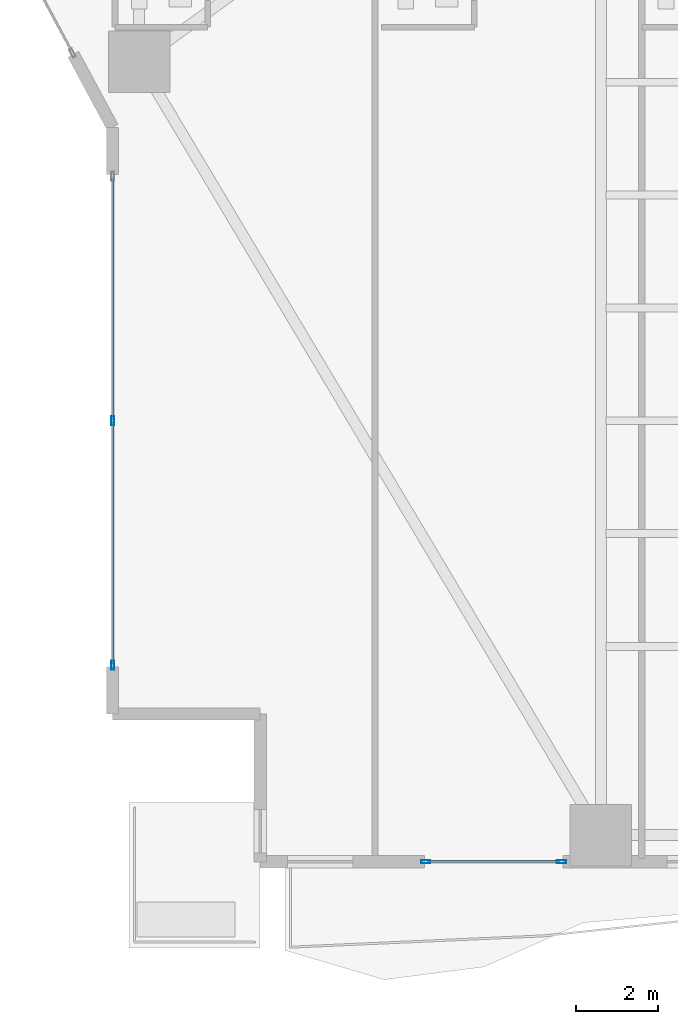
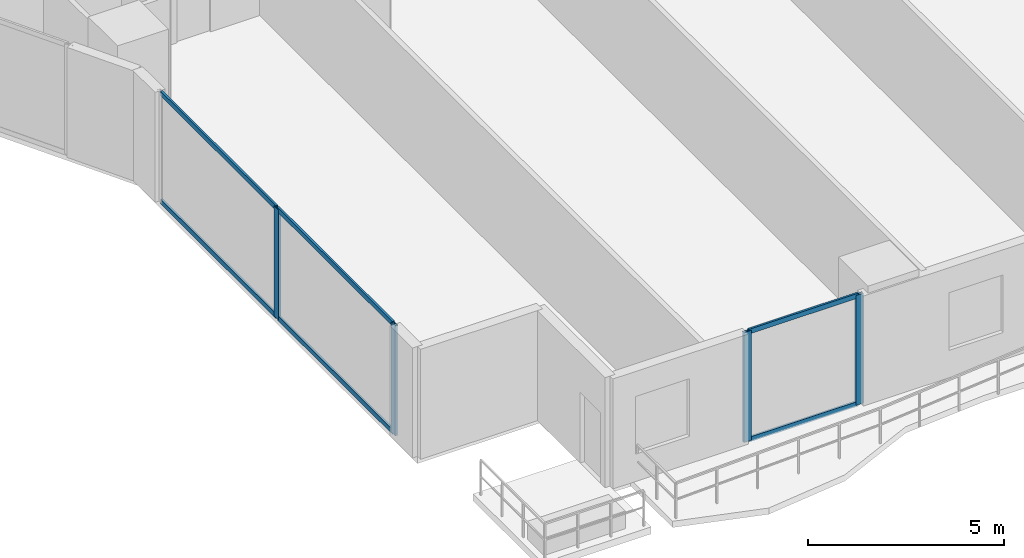
# One storey, part 2 of 28: 10 members, 2 elements without a shape of their own.
"""IFC4 building model written with IfcOpenShell, lengths in metres."""

from ifc_helpers import new_model, si_unit, direction, frame, origin, origin_2d, place, context, subcontext, project, spatial, hollow_rectangle, extrude, material, layer, layer_set, material_profile, profile_set, type_object, element, aggregate, save


model = new_model("IFC4")

# Units and contexts
model_context = context("Model", 3, precision=1e-05, world=origin(), true_north=direction((0.0, 1.0)))
body_context = subcontext(model_context, "Body", "Model", "MODEL_VIEW")
ifc_project = project(units=[si_unit("LENGTHUNIT", "METRE"), si_unit("AREAUNIT", "SQUARE_METRE"), si_unit("VOLUMEUNIT", "CUBIC_METRE"), si_unit("PLANEANGLEUNIT", "RADIAN"), si_unit("MASSUNIT", "GRAM", prefix="KILO")], contexts=[model_context])

# Site, building, storey
site_placement = place(None, origin())
site = spatial("IfcSite", under=ifc_project, at=site_placement, CompositionType="ELEMENT")
building_placement = place(site_placement, origin())
building = spatial("IfcBuilding", under=site, at=building_placement, Name="Zuhayl Quay Hotel", CompositionType="ELEMENT")
storey_placement = place(building_placement, frame((0.0, 0.0, 34.89990234375)))
storey = spatial("IfcBuildingStorey", under=building, at=storey_placement, Name="L07", CompositionType="ELEMENT", Elevation=34.89990234375)

# Curtain wall, members
ifc_material_1 = material(Name="Anodised Aluminium 6063-T6", Category="aluminium")
ifc_layer = layer(ifc_material_1, 0.18994140625, Name="Anodised Aluminium 6063-T6", Category="aluminium")
ifc_layer_set = layer_set([ifc_layer], Name="Anodised Aluminium 6063-T6")
curtain_wall_type = type_object("IfcCurtainWallType", Name="CW_SYS_Z1", PredefinedType="USERDEFINED", material=ifc_layer_set)
curtain_wall_1_placement = place(storey_placement, origin())
curtain_wall_1 = element("IfcCurtainWall", 1, at=curtain_wall_1_placement, inside=storey, type_object=curtain_wall_type, Name="L07 Curtain Wall ENV_L07_E02_CW1", ObjectType="UNITISED CURTAIN WALL", PredefinedType="USERDEFINED")
ifc_material_2 = material(Name="Black-anodised aluminium 6063-T6", Category="aluminium")
ifc_material_profile_1 = material_profile(ifc_material_2, hollow_rectangle(XDim=0.074951171875, YDim=0.219970703125, WallThickness=0.00390625, at=origin_2d()), Name="ALU220X75")
ifc_profile_set_1 = profile_set([ifc_material_profile_1], Name="Black-anodised aluminium 6063-T6")
member_type_1 = type_object("IfcMemberType", Name="MB_CW_MUL_220", PredefinedType="MULLION", material=ifc_profile_set_1)
member_1_placement = place(storey_placement, frame((-25.699951171875, -18.3125, 0.0), z_axis=(0.0, 0.0, 1.0), x_axis=(-1.0, 0.0, 0.0)))
member_1 = element("IfcMember", 2, at=member_1_placement, type_object=member_type_1, Name="CW-Z1 mullion 1", PredefinedType="MULLION", context=body_context, shape_type="SweptSolid", body=[
    extrude(hollow_rectangle(XDim=0.074951171875, YDim=0.219970703125, WallThickness=0.00390625, at=origin_2d()), origin(), (0.0, 0.0, 1.0), 3.43017578125),
])
member_2_placement = place(storey_placement, frame((-25.699951171875, -12.35009765625, 0.0), z_axis=(0.0, 0.0, 1.0), x_axis=(-1.0, 0.0, 0.0)))
member_2 = element("IfcMember", 3, at=member_2_placement, type_object=member_type_1, Name="CW-Z1 mullion 2", PredefinedType="MULLION", context=body_context, shape_type="SweptSolid", body=[
    extrude(hollow_rectangle(XDim=0.074951171875, YDim=0.219970703125, WallThickness=0.00390625, at=origin_2d()), origin(), (0.0, 0.0, 1.0), 3.43017578125),
])

curtain_wall_2_placement = place(storey_placement, origin())
curtain_wall_2 = element("IfcCurtainWall", 4, at=curtain_wall_2_placement, inside=storey, type_object=curtain_wall_type, Name="L07 Curtain Wall ENV_L07_S_CW5", ObjectType="UNITISED CURTAIN WALL", PredefinedType="USERDEFINED")
member_3_placement = place(storey_placement, frame((-14.757568359375, -23.10009765625, 0.0), z_axis=(0.0, 0.0, 1.0), x_axis=(0.0, -1.0, 0.0)))
member_3 = element("IfcMember", 5, at=member_3_placement, type_object=member_type_1, Name="CW-Z1 mullion 1", PredefinedType="MULLION", context=body_context, shape_type="SweptSolid", body=[
    extrude(hollow_rectangle(XDim=0.074951171875, YDim=0.219970703125, WallThickness=0.00390625, at=origin_2d()), origin(), (0.0, 0.0, 1.0), 3.43017578125),
])
member_4_placement = place(storey_placement, frame((-18.0625, -23.10009765625, 0.0), z_axis=(0.0, 0.0, 1.0), x_axis=(0.0, -1.0, 0.0)))
member_4 = element("IfcMember", 6, at=member_4_placement, type_object=member_type_1, Name="CW-Z1 mullion 2", PredefinedType="MULLION", context=body_context, shape_type="SweptSolid", body=[
    extrude(hollow_rectangle(XDim=0.074951171875, YDim=0.219970703125, WallThickness=0.00390625, at=origin_2d()), origin(), (0.0, 0.0, 1.0), 3.43017578125),
])

# Member
ifc_material_profile_2 = material_profile(ifc_material_2, hollow_rectangle(XDim=0.06005859375, YDim=0.14990234375, WallThickness=0.00341796875, at=origin_2d()), Name="ALU150X60")
ifc_profile_set_2 = profile_set([ifc_material_profile_2], Name="Black-anodised aluminium 6063-T6")
member_type_2 = type_object("IfcMemberType", Name="MB_CW_TRN_150", PredefinedType="USERDEFINED", material=ifc_profile_set_2)
member_5_placement = place(storey_placement, frame((-25.699951171875, -18.27490234375, 0.030029296875), z_axis=(0.0, 1.0, 0.0), x_axis=(-1.0, 0.0, 0.0)))
member_5 = element("IfcMember", 7, at=member_5_placement, type_object=member_type_2, Name="CW-Z1 transom 1.1", ObjectType="TRANSOM", PredefinedType="USERDEFINED", context=body_context, shape_type="SweptSolid", body=[
    extrude(hollow_rectangle(XDim=0.06005859375, YDim=0.14990234375, WallThickness=0.00341796875, at=origin_2d()), origin(), (0.0, 0.0, 1.0), 5.887451171875),
])

member_6_placement = place(storey_placement, frame((-25.699951171875, -18.27490234375, 3.400146484375), z_axis=(0.0, 1.0, 0.0), x_axis=(-1.0, 0.0, 0.0)))
member_6 = element("IfcMember", 8, at=member_6_placement, type_object=member_type_2, Name="CW-Z1 transom 1.2", ObjectType="TRANSOM", PredefinedType="USERDEFINED", context=body_context, shape_type="SweptSolid", body=[
    extrude(hollow_rectangle(XDim=0.06005859375, YDim=0.14990234375, WallThickness=0.00341796875, at=origin_2d()), origin(), (0.0, 0.0, 1.0), 5.887451171875),
])

member_7_placement = place(storey_placement, frame((-25.699951171875, -12.3125, 0.030029296875), z_axis=(0.0, 1.0, 0.0), x_axis=(-1.0, 0.0, 0.0)))
member_7 = element("IfcMember", 9, at=member_7_placement, type_object=member_type_2, Name="CW-Z1 transom 2.1", ObjectType="TRANSOM", PredefinedType="USERDEFINED", context=body_context, shape_type="SweptSolid", body=[
    extrude(hollow_rectangle(XDim=0.06005859375, YDim=0.14990234375, WallThickness=0.00341796875, at=origin_2d()), origin(), (0.0, 0.0, 1.0), 5.887451171875),
])

member_8_placement = place(storey_placement, frame((-25.699951171875, -12.3125, 3.400146484375), z_axis=(0.0, 1.0, 0.0), x_axis=(-1.0, 0.0, 0.0)))
member_8 = element("IfcMember", 10, at=member_8_placement, type_object=member_type_2, Name="CW-Z1 transom 2.2", ObjectType="TRANSOM", PredefinedType="USERDEFINED", context=body_context, shape_type="SweptSolid", body=[
    extrude(hollow_rectangle(XDim=0.06005859375, YDim=0.14990234375, WallThickness=0.00341796875, at=origin_2d()), origin(), (0.0, 0.0, 1.0), 5.887451171875),
])

aggregate(curtain_wall_1, [member_1, member_2, member_5, member_6, member_7, member_8])

member_9_placement = place(storey_placement, frame((-14.794921875, -23.10009765625, 0.030029296875), z_axis=(-1.0, 0.0, 0.0), x_axis=(0.0, -1.0, 0.0)))
member_9 = element("IfcMember", 11, at=member_9_placement, type_object=member_type_2, Name="CW-Z1 transom 1.1", ObjectType="TRANSOM", PredefinedType="USERDEFINED", context=body_context, shape_type="SweptSolid", body=[
    extrude(hollow_rectangle(XDim=0.06005859375, YDim=0.14990234375, WallThickness=0.00341796875, at=origin_2d()), origin(), (0.0, 0.0, 1.0), 3.22998046875),
])

member_10_placement = place(storey_placement, frame((-14.794921875, -23.10009765625, 3.400146484375), z_axis=(-1.0, 0.0, 0.0), x_axis=(0.0, -1.0, 0.0)))
member_10 = element("IfcMember", 12, at=member_10_placement, type_object=member_type_2, Name="CW-Z1 transom 1.2", ObjectType="TRANSOM", PredefinedType="USERDEFINED", context=body_context, shape_type="SweptSolid", body=[
    extrude(hollow_rectangle(XDim=0.06005859375, YDim=0.14990234375, WallThickness=0.00341796875, at=origin_2d()), origin(), (0.0, 0.0, 1.0), 3.22998046875),
])

aggregate(curtain_wall_2, [member_3, member_4, member_9, member_10])

save(model, "model.ifc")
